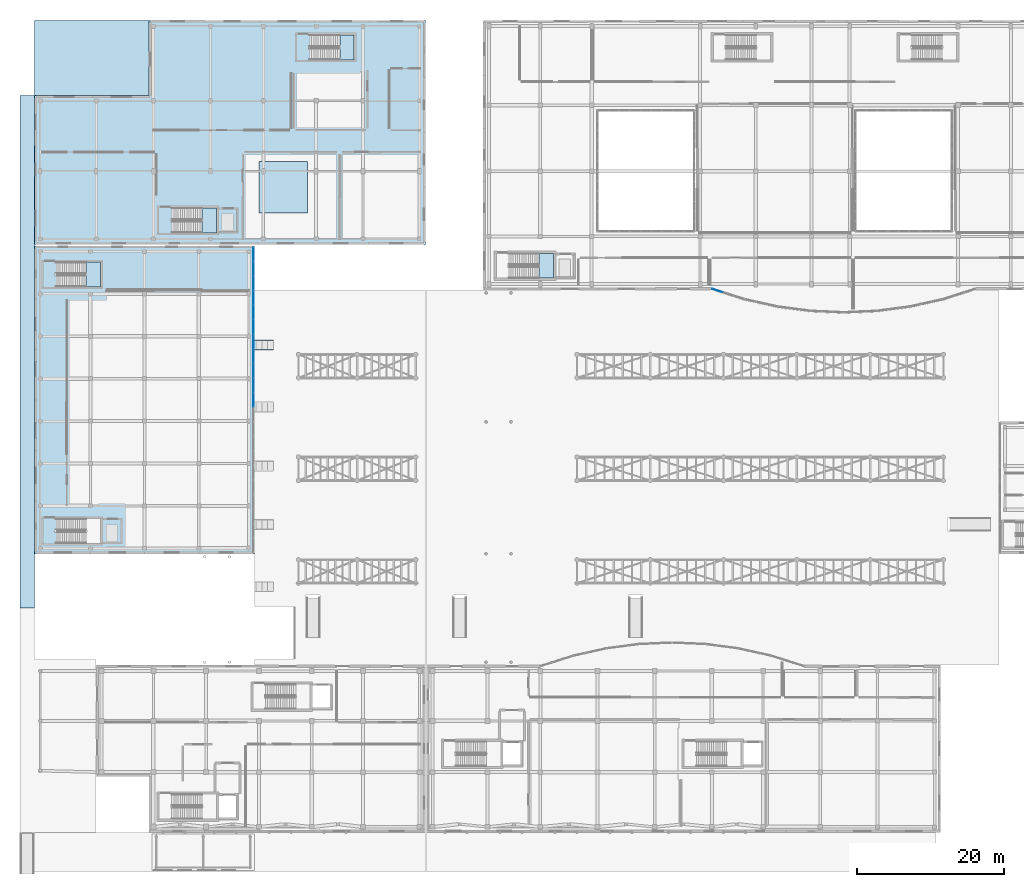
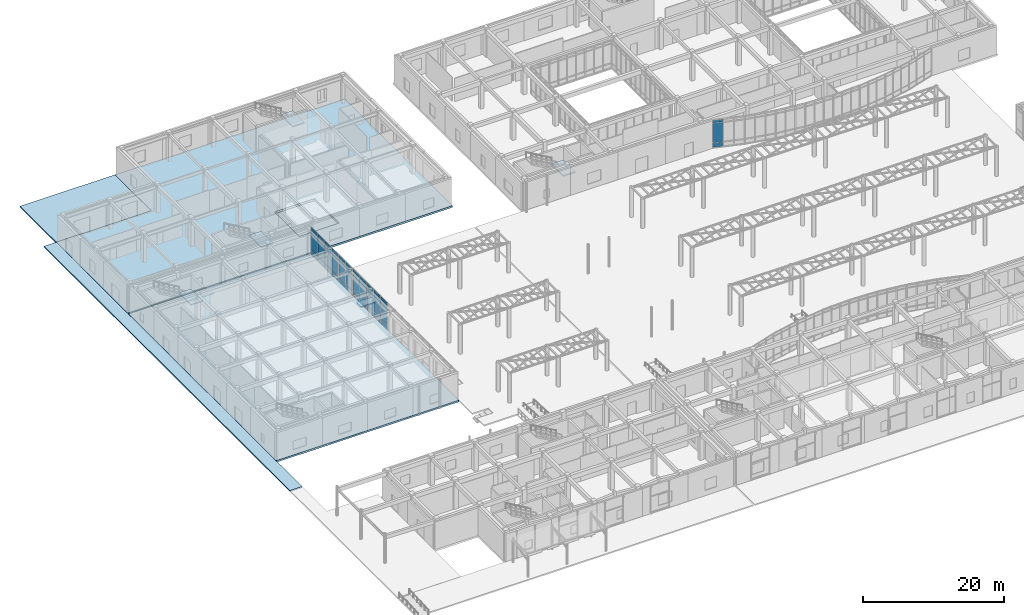
# One storey, part 82 of 121: 36 plates, 10 slabs, 9 elements without a shape of their own.
"""IFC4 building model written with IfcOpenShell, lengths in metres."""

from ifc_helpers import new_model, si_unit, direction, frame, origin, origin_2d, place, context, subcontext, project, spatial, polyline, rectangle, outline, extrude, material, layer, layer_set, type_object, element, aggregate, save


model = new_model("IFC4")

# Units and contexts
model_context = context("Model", 3, precision=1e-05, world=origin(), true_north=direction((0.0, 1.0)))
body_context = subcontext(model_context, "Body", "Model", "MODEL_VIEW")
ifc_project = project(units=[si_unit("LENGTHUNIT", "METRE"), si_unit("AREAUNIT", "SQUARE_METRE"), si_unit("VOLUMEUNIT", "CUBIC_METRE"), si_unit("PLANEANGLEUNIT", "RADIAN"), si_unit("MASSUNIT", "GRAM", prefix="KILO")], contexts=[model_context])

# Site, building, storey
site_placement = place(None, origin())
site = spatial("IfcSite", under=ifc_project, at=site_placement, CompositionType="ELEMENT")
building_placement = place(site_placement, origin())
building = spatial("IfcBuilding", under=site, at=building_placement, Name="Valcora Specialist Clinic", CompositionType="ELEMENT")
storey_placement = place(building_placement, origin())
storey = spatial("IfcBuildingStorey", under=building, at=storey_placement, Name="L00", CompositionType="ELEMENT", Elevation=0.0)

# Curtain wall, plates
ifc_material_1 = material(Name="Anodized Bronze Aluminium 6063-T6", Category="aluminium")
ifc_layer_1 = layer(ifc_material_1, 0.175048828125)
ifc_layer_set_1 = layer_set([ifc_layer_1], Name="Anodized Bronze Aluminium 6063-T6")
curtain_wall_type_1 = type_object("IfcCurtainWallType", Name="TY-CW-HAL18", PredefinedType="NOTDEFINED", material=ifc_layer_set_1)
curtain_wall_1_placement = place(storey_placement, origin())
curtain_wall_1 = element("IfcCurtainWall", 1, at=curtain_wall_1_placement, inside=storey, type_object=curtain_wall_type_1, Name="Curtain wall CW-L00-002", PredefinedType="NOTDEFINED")
ifc_material_2 = material(Name="Low-E Laminated Insulating Glass", Category="glass")
ifc_layer_2 = layer(ifc_material_2, 0.028076171875)
ifc_layer_set_2 = layer_set([ifc_layer_2], Name="Low-E Laminated Insulating Glass")
plate_type_1 = type_object("IfcPlateType", Name="TY-CWP-GLZ28", PredefinedType="CURTAIN_PANEL", material=ifc_layer_set_2)
plate_1_placement = place(storey_placement, frame((29.85009765625, 72.8837890625, 0.88232421875), z_axis=(0.0, 0.0, 1.0), x_axis=(0.0, -1.0, 0.0)))
plate_1 = element("IfcPlate", 2, at=plate_1_placement, type_object=plate_type_1, Name="CW-HAL-18 panel 1.2", PredefinedType="CURTAIN_PANEL", context=body_context, shape_type="SweptSolid", body=[
    extrude(rectangle(XDim=1.88818359375, YDim=0.028076171875, at=origin_2d()), origin(), (0.0, 0.0, 1.0), 3.344970703125),
])
plate_2_placement = place(storey_placement, frame((29.85009765625, 72.8837890625, 4.29248046875), z_axis=(0.0, 0.0, 1.0), x_axis=(0.0, -1.0, 0.0)))
plate_2 = element("IfcPlate", 3, at=plate_2_placement, type_object=plate_type_1, Name="CW-HAL-18 panel 1.3", PredefinedType="CURTAIN_PANEL", context=body_context, shape_type="SweptSolid", body=[
    extrude(rectangle(XDim=1.88818359375, YDim=0.028076171875, at=origin_2d()), origin(), (0.0, 0.0, 1.0), 0.452392578125),
])
plate_3_placement = place(storey_placement, frame((29.85009765625, 70.914306640625, 0.88232421875), z_axis=(0.0, 0.0, 1.0), x_axis=(0.0, -1.0, 0.0)))
plate_3 = element("IfcPlate", 4, at=plate_3_placement, type_object=plate_type_1, Name="CW-HAL-18 panel 2.2", PredefinedType="CURTAIN_PANEL", context=body_context, shape_type="SweptSolid", body=[
    extrude(rectangle(XDim=1.920654296875, YDim=0.028076171875, at=origin_2d()), origin(), (0.0, 0.0, 1.0), 3.344970703125),
])
plate_4_placement = place(storey_placement, frame((29.85009765625, 70.914306640625, 4.29248046875), z_axis=(0.0, 0.0, 1.0), x_axis=(0.0, -1.0, 0.0)))
plate_4 = element("IfcPlate", 5, at=plate_4_placement, type_object=plate_type_1, Name="CW-HAL-18 panel 2.3", PredefinedType="CURTAIN_PANEL", context=body_context, shape_type="SweptSolid", body=[
    extrude(rectangle(XDim=1.920654296875, YDim=0.028076171875, at=origin_2d()), origin(), (0.0, 0.0, 1.0), 0.452392578125),
])
plate_5_placement = place(storey_placement, frame((29.85009765625, 68.94482421875, 0.88232421875), z_axis=(0.0, 0.0, 1.0), x_axis=(0.0, -1.0, 0.0)))
plate_5 = element("IfcPlate", 6, at=plate_5_placement, type_object=plate_type_1, Name="CW-HAL-18 panel 3.2", PredefinedType="CURTAIN_PANEL", context=body_context, shape_type="SweptSolid", body=[
    extrude(rectangle(XDim=1.88818359375, YDim=0.028076171875, at=origin_2d()), origin(), (0.0, 0.0, 1.0), 3.344970703125),
])
plate_6_placement = place(storey_placement, frame((29.85009765625, 68.94482421875, 4.29248046875), z_axis=(0.0, 0.0, 1.0), x_axis=(0.0, -1.0, 0.0)))
plate_6 = element("IfcPlate", 7, at=plate_6_placement, type_object=plate_type_1, Name="CW-HAL-18 panel 3.3", PredefinedType="CURTAIN_PANEL", context=body_context, shape_type="SweptSolid", body=[
    extrude(rectangle(XDim=1.88818359375, YDim=0.028076171875, at=origin_2d()), origin(), (0.0, 0.0, 1.0), 0.452392578125),
])

curtain_wall_2_placement = place(storey_placement, origin())
curtain_wall_2 = element("IfcCurtainWall", 8, at=curtain_wall_2_placement, inside=storey, type_object=curtain_wall_type_1, Name="Curtain wall CW-L00-004", PredefinedType="NOTDEFINED")
plate_7_placement = place(storey_placement, frame((29.85009765625, 60.969482421875, 0.88232421875), z_axis=(0.0, 0.0, 1.0), x_axis=(0.0, -1.0, 0.0)))
plate_7 = element("IfcPlate", 9, at=plate_7_placement, type_object=plate_type_1, Name="CW-HAL-18 panel 1.2", PredefinedType="CURTAIN_PANEL", context=body_context, shape_type="SweptSolid", body=[
    extrude(rectangle(XDim=1.88818359375, YDim=0.028076171875, at=origin_2d()), origin(), (0.0, 0.0, 1.0), 3.344970703125),
])
plate_8_placement = place(storey_placement, frame((29.85009765625, 60.969482421875, 4.29248046875), z_axis=(0.0, 0.0, 1.0), x_axis=(0.0, -1.0, 0.0)))
plate_8 = element("IfcPlate", 10, at=plate_8_placement, type_object=plate_type_1, Name="CW-HAL-18 panel 1.3", PredefinedType="CURTAIN_PANEL", context=body_context, shape_type="SweptSolid", body=[
    extrude(rectangle(XDim=1.88818359375, YDim=0.028076171875, at=origin_2d()), origin(), (0.0, 0.0, 1.0), 0.452392578125),
])
plate_9_placement = place(storey_placement, frame((29.85009765625, 59.0, 0.88232421875), z_axis=(0.0, 0.0, 1.0), x_axis=(0.0, -1.0, 0.0)))
plate_9 = element("IfcPlate", 11, at=plate_9_placement, type_object=plate_type_1, Name="CW-HAL-18 panel 2.2", PredefinedType="CURTAIN_PANEL", context=body_context, shape_type="SweptSolid", body=[
    extrude(rectangle(XDim=1.920654296875, YDim=0.028076171875, at=origin_2d()), origin(), (0.0, 0.0, 1.0), 3.344970703125),
])
plate_10_placement = place(storey_placement, frame((29.85009765625, 59.0, 4.29248046875), z_axis=(0.0, 0.0, 1.0), x_axis=(0.0, -1.0, 0.0)))
plate_10 = element("IfcPlate", 12, at=plate_10_placement, type_object=plate_type_1, Name="CW-HAL-18 panel 2.3", PredefinedType="CURTAIN_PANEL", context=body_context, shape_type="SweptSolid", body=[
    extrude(rectangle(XDim=1.920654296875, YDim=0.028076171875, at=origin_2d()), origin(), (0.0, 0.0, 1.0), 0.452392578125),
])

ifc_layer_3 = layer(ifc_material_1, 0.175048828125)
ifc_layer_set_3 = layer_set([ifc_layer_3], Name="Anodized Bronze Aluminium 6063-T6")
curtain_wall_type_2 = type_object("IfcCurtainWallType", Name="TY-CW-ARC51", PredefinedType="NOTDEFINED", material=ifc_layer_set_3)
curtain_wall_3_placement = place(storey_placement, origin())
curtain_wall_3 = element("IfcCurtainWall", 13, at=curtain_wall_3_placement, inside=storey, type_object=curtain_wall_type_2, Name="Curtain wall CW-L00-028", PredefinedType="NOTDEFINED")
plate_11_placement = place(storey_placement, frame((93.19140625, 73.905517578125, 0.88232421875), z_axis=(0.0, 0.0, 1.0), x_axis=(-0.952916356972, 0.303233270958, 0.0)))
plate_11 = element("IfcPlate", 14, at=plate_11_placement, type_object=plate_type_1, Name="CW-ARC-51 panel 3.2", PredefinedType="CURTAIN_PANEL", context=body_context, shape_type="SweptSolid", body=[
    extrude(rectangle(XDim=1.482177734375, YDim=0.028076171875, at=origin_2d()), origin(), (0.0, 0.0, 1.0), 3.344970703125),
])
plate_12_placement = place(storey_placement, frame((93.19140625, 73.905517578125, 4.29248046875), z_axis=(0.0, 0.0, 1.0), x_axis=(-0.952916356972, 0.303233270958, 0.0)))
plate_12 = element("IfcPlate", 15, at=plate_12_placement, type_object=plate_type_1, Name="CW-ARC-51 panel 3.3", PredefinedType="CURTAIN_PANEL", context=body_context, shape_type="SweptSolid", body=[
    extrude(rectangle(XDim=1.482177734375, YDim=0.028076171875, at=origin_2d()), origin(), (0.0, 0.0, 1.0), 0.452392578125),
])

curtain_wall_4_placement = place(storey_placement, origin())
curtain_wall_4 = element("IfcCurtainWall", 16, at=curtain_wall_4_placement, inside=storey, type_object=curtain_wall_type_1, Name="Curtain wall CW-L00-001", PredefinedType="NOTDEFINED")
ifc_layer_4 = layer(ifc_material_2, 0.033935546875)
ifc_layer_set_4 = layer_set([ifc_layer_4], Name="Low-E Laminated Insulating Glass")
plate_type_2 = type_object("IfcPlateType", Name="TY-CWP-GLZ34", PredefinedType="CURTAIN_PANEL", material=ifc_layer_set_4)
plate_13_placement = place(storey_placement, frame((29.85009765625, 78.8408203125, 0.88232421875), z_axis=(0.0, 0.0, 1.0), x_axis=(0.0, -1.0, 0.0)))
plate_13 = element("IfcPlate", 17, at=plate_13_placement, type_object=plate_type_2, Name="CW-HAL-18 panel 1.2", PredefinedType="CURTAIN_PANEL", context=body_context, shape_type="SweptSolid", body=[
    extrude(rectangle(XDim=1.88818359375, YDim=0.033935546875, at=origin_2d()), origin(), (0.0, 0.0, 1.0), 3.344970703125),
])
plate_14_placement = place(storey_placement, frame((29.85009765625, 78.8408203125, 4.29248046875), z_axis=(0.0, 0.0, 1.0), x_axis=(0.0, -1.0, 0.0)))
plate_14 = element("IfcPlate", 18, at=plate_14_placement, type_object=plate_type_2, Name="CW-HAL-18 panel 1.3", PredefinedType="CURTAIN_PANEL", context=body_context, shape_type="SweptSolid", body=[
    extrude(rectangle(XDim=1.88818359375, YDim=0.033935546875, at=origin_2d()), origin(), (0.0, 0.0, 1.0), 0.452392578125),
])
plate_15_placement = place(storey_placement, frame((29.85009765625, 76.871337890625, 0.88232421875), z_axis=(0.0, 0.0, 1.0), x_axis=(0.0, -1.0, 0.0)))
plate_15 = element("IfcPlate", 19, at=plate_15_placement, type_object=plate_type_2, Name="CW-HAL-18 panel 2.2", PredefinedType="CURTAIN_PANEL", context=body_context, shape_type="SweptSolid", body=[
    extrude(rectangle(XDim=1.920654296875, YDim=0.033935546875, at=origin_2d()), origin(), (0.0, 0.0, 1.0), 3.344970703125),
])
plate_16_placement = place(storey_placement, frame((29.85009765625, 76.871337890625, 4.29248046875), z_axis=(0.0, 0.0, 1.0), x_axis=(0.0, -1.0, 0.0)))
plate_16 = element("IfcPlate", 20, at=plate_16_placement, type_object=plate_type_2, Name="CW-HAL-18 panel 2.3", PredefinedType="CURTAIN_PANEL", context=body_context, shape_type="SweptSolid", body=[
    extrude(rectangle(XDim=1.920654296875, YDim=0.033935546875, at=origin_2d()), origin(), (0.0, 0.0, 1.0), 0.452392578125),
])
plate_17_placement = place(storey_placement, frame((29.85009765625, 74.902099609375, 0.88232421875), z_axis=(0.0, 0.0, 1.0), x_axis=(0.0, -1.0, 0.0)))
plate_17 = element("IfcPlate", 21, at=plate_17_placement, type_object=plate_type_2, Name="CW-HAL-18 panel 3.2", PredefinedType="CURTAIN_PANEL", context=body_context, shape_type="SweptSolid", body=[
    extrude(rectangle(XDim=1.88818359375, YDim=0.033935546875, at=origin_2d()), origin(), (0.0, 0.0, 1.0), 3.344970703125),
])
plate_18_placement = place(storey_placement, frame((29.85009765625, 74.902099609375, 4.29248046875), z_axis=(0.0, 0.0, 1.0), x_axis=(0.0, -1.0, 0.0)))
plate_18 = element("IfcPlate", 22, at=plate_18_placement, type_object=plate_type_2, Name="CW-HAL-18 panel 3.3", PredefinedType="CURTAIN_PANEL", context=body_context, shape_type="SweptSolid", body=[
    extrude(rectangle(XDim=1.88818359375, YDim=0.033935546875, at=origin_2d()), origin(), (0.0, 0.0, 1.0), 0.452392578125),
])

curtain_wall_5_placement = place(storey_placement, origin())
curtain_wall_5 = element("IfcCurtainWall", 23, at=curtain_wall_5_placement, inside=storey, type_object=curtain_wall_type_1, Name="Curtain wall CW-L00-003", PredefinedType="NOTDEFINED")
plate_19_placement = place(storey_placement, frame((29.85009765625, 66.926513671875, 0.88232421875), z_axis=(0.0, 0.0, 1.0), x_axis=(0.0, -1.0, 0.0)))
plate_19 = element("IfcPlate", 24, at=plate_19_placement, type_object=plate_type_2, Name="CW-HAL-18 panel 1.2", PredefinedType="CURTAIN_PANEL", context=body_context, shape_type="SweptSolid", body=[
    extrude(rectangle(XDim=1.88818359375, YDim=0.033935546875, at=origin_2d()), origin(), (0.0, 0.0, 1.0), 3.344970703125),
])
plate_20_placement = place(storey_placement, frame((29.85009765625, 66.926513671875, 4.29248046875), z_axis=(0.0, 0.0, 1.0), x_axis=(0.0, -1.0, 0.0)))
plate_20 = element("IfcPlate", 25, at=plate_20_placement, type_object=plate_type_2, Name="CW-HAL-18 panel 1.3", PredefinedType="CURTAIN_PANEL", context=body_context, shape_type="SweptSolid", body=[
    extrude(rectangle(XDim=1.88818359375, YDim=0.033935546875, at=origin_2d()), origin(), (0.0, 0.0, 1.0), 0.452392578125),
])
plate_21_placement = place(storey_placement, frame((29.85009765625, 64.95703125, 0.88232421875), z_axis=(0.0, 0.0, 1.0), x_axis=(0.0, -1.0, 0.0)))
plate_21 = element("IfcPlate", 26, at=plate_21_placement, type_object=plate_type_2, Name="CW-HAL-18 panel 2.2", PredefinedType="CURTAIN_PANEL", context=body_context, shape_type="SweptSolid", body=[
    extrude(rectangle(XDim=1.920654296875, YDim=0.033935546875, at=origin_2d()), origin(), (0.0, 0.0, 1.0), 3.344970703125),
])
plate_22_placement = place(storey_placement, frame((29.85009765625, 64.95703125, 4.29248046875), z_axis=(0.0, 0.0, 1.0), x_axis=(0.0, -1.0, 0.0)))
plate_22 = element("IfcPlate", 27, at=plate_22_placement, type_object=plate_type_2, Name="CW-HAL-18 panel 2.3", PredefinedType="CURTAIN_PANEL", context=body_context, shape_type="SweptSolid", body=[
    extrude(rectangle(XDim=1.920654296875, YDim=0.033935546875, at=origin_2d()), origin(), (0.0, 0.0, 1.0), 0.452392578125),
])
plate_23_placement = place(storey_placement, frame((29.85009765625, 62.98779296875, 0.88232421875), z_axis=(0.0, 0.0, 1.0), x_axis=(0.0, -1.0, 0.0)))
plate_23 = element("IfcPlate", 28, at=plate_23_placement, type_object=plate_type_2, Name="CW-HAL-18 panel 3.2", PredefinedType="CURTAIN_PANEL", context=body_context, shape_type="SweptSolid", body=[
    extrude(rectangle(XDim=1.88818359375, YDim=0.033935546875, at=origin_2d()), origin(), (0.0, 0.0, 1.0), 3.344970703125),
])
plate_24_placement = place(storey_placement, frame((29.85009765625, 62.98779296875, 4.29248046875), z_axis=(0.0, 0.0, 1.0), x_axis=(0.0, -1.0, 0.0)))
plate_24 = element("IfcPlate", 29, at=plate_24_placement, type_object=plate_type_2, Name="CW-HAL-18 panel 3.3", PredefinedType="CURTAIN_PANEL", context=body_context, shape_type="SweptSolid", body=[
    extrude(rectangle(XDim=1.88818359375, YDim=0.033935546875, at=origin_2d()), origin(), (0.0, 0.0, 1.0), 0.452392578125),
])

# Plate
ifc_material_3 = material(Name="Insulated Spandrel Panel")
ifc_layer_5 = layer(ifc_material_3, 0.044921875)
ifc_layer_set_5 = layer_set([ifc_layer_5], Name="Insulated Spandrel Panel")
plate_type_3 = type_object("IfcPlateType", Name="TY-CWP-SPN45", PredefinedType="SHEET", material=ifc_layer_set_5)
plate_25_placement = place(storey_placement, frame((29.85009765625, 78.8408203125, 0.06494140625), z_axis=(0.0, 0.0, 1.0), x_axis=(0.0, -1.0, 0.0)))
plate_25 = element("IfcPlate", 30, at=plate_25_placement, type_object=plate_type_3, Name="CW-HAL-18 panel 1.1", PredefinedType="SHEET", context=body_context, shape_type="SweptSolid", body=[
    extrude(rectangle(XDim=1.88818359375, YDim=0.044921875, at=origin_2d()), origin(), (0.0, 0.0, 1.0), 0.75244140625),
])

plate_26_placement = place(storey_placement, frame((29.85009765625, 76.871337890625, 0.06494140625), z_axis=(0.0, 0.0, 1.0), x_axis=(0.0, -1.0, 0.0)))
plate_26 = element("IfcPlate", 31, at=plate_26_placement, type_object=plate_type_3, Name="CW-HAL-18 panel 2.1", PredefinedType="SHEET", context=body_context, shape_type="SweptSolid", body=[
    extrude(rectangle(XDim=1.920654296875, YDim=0.044921875, at=origin_2d()), origin(), (0.0, 0.0, 1.0), 0.75244140625),
])

plate_27_placement = place(storey_placement, frame((29.85009765625, 74.902099609375, 0.06494140625), z_axis=(0.0, 0.0, 1.0), x_axis=(0.0, -1.0, 0.0)))
plate_27 = element("IfcPlate", 32, at=plate_27_placement, type_object=plate_type_3, Name="CW-HAL-18 panel 3.1", PredefinedType="SHEET", context=body_context, shape_type="SweptSolid", body=[
    extrude(rectangle(XDim=1.88818359375, YDim=0.044921875, at=origin_2d()), origin(), (0.0, 0.0, 1.0), 0.75244140625),
])

aggregate(curtain_wall_4, [plate_25, plate_13, plate_14, plate_26, plate_15, plate_16, plate_27, plate_17, plate_18])

plate_28_placement = place(storey_placement, frame((29.85009765625, 72.8837890625, 0.06494140625), z_axis=(0.0, 0.0, 1.0), x_axis=(0.0, -1.0, 0.0)))
plate_28 = element("IfcPlate", 33, at=plate_28_placement, type_object=plate_type_3, Name="CW-HAL-18 panel 1.1", PredefinedType="SHEET", context=body_context, shape_type="SweptSolid", body=[
    extrude(rectangle(XDim=1.88818359375, YDim=0.044921875, at=origin_2d()), origin(), (0.0, 0.0, 1.0), 0.75244140625),
])

plate_29_placement = place(storey_placement, frame((29.85009765625, 70.914306640625, 0.06494140625), z_axis=(0.0, 0.0, 1.0), x_axis=(0.0, -1.0, 0.0)))
plate_29 = element("IfcPlate", 34, at=plate_29_placement, type_object=plate_type_3, Name="CW-HAL-18 panel 2.1", PredefinedType="SHEET", context=body_context, shape_type="SweptSolid", body=[
    extrude(rectangle(XDim=1.920654296875, YDim=0.044921875, at=origin_2d()), origin(), (0.0, 0.0, 1.0), 0.75244140625),
])

plate_30_placement = place(storey_placement, frame((29.85009765625, 68.94482421875, 0.06494140625), z_axis=(0.0, 0.0, 1.0), x_axis=(0.0, -1.0, 0.0)))
plate_30 = element("IfcPlate", 35, at=plate_30_placement, type_object=plate_type_3, Name="CW-HAL-18 panel 3.1", PredefinedType="SHEET", context=body_context, shape_type="SweptSolid", body=[
    extrude(rectangle(XDim=1.88818359375, YDim=0.044921875, at=origin_2d()), origin(), (0.0, 0.0, 1.0), 0.75244140625),
])

aggregate(curtain_wall_1, [plate_28, plate_1, plate_2, plate_29, plate_3, plate_4, plate_30, plate_5, plate_6])

plate_31_placement = place(storey_placement, frame((29.85009765625, 66.926513671875, 0.06494140625), z_axis=(0.0, 0.0, 1.0), x_axis=(0.0, -1.0, 0.0)))
plate_31 = element("IfcPlate", 36, at=plate_31_placement, type_object=plate_type_3, Name="CW-HAL-18 panel 1.1", PredefinedType="SHEET", context=body_context, shape_type="SweptSolid", body=[
    extrude(rectangle(XDim=1.88818359375, YDim=0.044921875, at=origin_2d()), origin(), (0.0, 0.0, 1.0), 0.75244140625),
])

plate_32_placement = place(storey_placement, frame((29.85009765625, 64.95703125, 0.06494140625), z_axis=(0.0, 0.0, 1.0), x_axis=(0.0, -1.0, 0.0)))
plate_32 = element("IfcPlate", 37, at=plate_32_placement, type_object=plate_type_3, Name="CW-HAL-18 panel 2.1", PredefinedType="SHEET", context=body_context, shape_type="SweptSolid", body=[
    extrude(rectangle(XDim=1.920654296875, YDim=0.044921875, at=origin_2d()), origin(), (0.0, 0.0, 1.0), 0.75244140625),
])

plate_33_placement = place(storey_placement, frame((29.85009765625, 62.98779296875, 0.06494140625), z_axis=(0.0, 0.0, 1.0), x_axis=(0.0, -1.0, 0.0)))
plate_33 = element("IfcPlate", 38, at=plate_33_placement, type_object=plate_type_3, Name="CW-HAL-18 panel 3.1", PredefinedType="SHEET", context=body_context, shape_type="SweptSolid", body=[
    extrude(rectangle(XDim=1.88818359375, YDim=0.044921875, at=origin_2d()), origin(), (0.0, 0.0, 1.0), 0.75244140625),
])

aggregate(curtain_wall_5, [plate_31, plate_19, plate_20, plate_32, plate_21, plate_22, plate_33, plate_23, plate_24])

plate_34_placement = place(storey_placement, frame((29.85009765625, 60.969482421875, 0.06494140625), z_axis=(0.0, 0.0, 1.0), x_axis=(0.0, -1.0, 0.0)))
plate_34 = element("IfcPlate", 39, at=plate_34_placement, type_object=plate_type_3, Name="CW-HAL-18 panel 1.1", PredefinedType="SHEET", context=body_context, shape_type="SweptSolid", body=[
    extrude(rectangle(XDim=1.88818359375, YDim=0.044921875, at=origin_2d()), origin(), (0.0, 0.0, 1.0), 0.75244140625),
])

plate_35_placement = place(storey_placement, frame((29.85009765625, 59.0, 0.06494140625), z_axis=(0.0, 0.0, 1.0), x_axis=(0.0, -1.0, 0.0)))
plate_35 = element("IfcPlate", 40, at=plate_35_placement, type_object=plate_type_3, Name="CW-HAL-18 panel 2.1", PredefinedType="SHEET", context=body_context, shape_type="SweptSolid", body=[
    extrude(rectangle(XDim=1.920654296875, YDim=0.044921875, at=origin_2d()), origin(), (0.0, 0.0, 1.0), 0.75244140625),
])

aggregate(curtain_wall_2, [plate_34, plate_7, plate_8, plate_35, plate_9, plate_10])

plate_36_placement = place(storey_placement, frame((93.19140625, 73.905517578125, 0.06494140625), z_axis=(0.0, 0.0, 1.0), x_axis=(-0.952916356972, 0.303233270958, 0.0)))
plate_36 = element("IfcPlate", 41, at=plate_36_placement, type_object=plate_type_3, Name="CW-ARC-51 panel 3.1", PredefinedType="SHEET", context=body_context, shape_type="SweptSolid", body=[
    extrude(rectangle(XDim=1.482177734375, YDim=0.044921875, at=origin_2d()), origin(), (0.0, 0.0, 1.0), 0.75244140625),
])

aggregate(curtain_wall_3, [plate_36, plate_11, plate_12])

# Slabs
ifc_material_4 = material(Name="Concrete C35/45", Category="concrete")
ifc_layer_6 = layer(ifc_material_4, 0.219970703125)
ifc_layer_set_6 = layer_set([ifc_layer_6], Name="Concrete C35/45")
slab_type_1 = type_object("IfcSlabType", Name="TY-SL-APRN220", PredefinedType="BASESLAB", material=ifc_layer_set_6)
slab_1_placement = place(storey_placement, frame((0.0, 0.0, -0.219970703125)))
element("IfcSlab", 42, at=slab_1_placement, inside=storey, type_object=slab_type_1, Name="West street perimeter sidewalk apron SL-L00-029", PredefinedType="BASESLAB", context=body_context, shape_type="SweptSolid", body=[
    extrude(outline(polyline([(0.0, 30.8330078125), (-0.0029296875, 30.8330078125), (-0.0029296875, 30.60302734375), (-2.0, 30.60302734375), (-2.0, 100.5), (-0.0029296875, 100.5), (-0.0029296875, 80.197021484375), (0.0, 80.197021484375), (0.0, 80.0029296875), (-0.0029296875, 80.0029296875), (-0.0029296875, 37.9970703125), (0.0, 37.9970703125), (0.0, 30.8330078125)])), origin(), (0.0, 0.0, 1.0), 0.219970703125),
])
slab_2_placement = place(storey_placement, frame((0.0, 0.0, -0.219970703125)))
element("IfcSlab", 43, at=slab_2_placement, inside=storey, type_object=slab_type_1, Name="V2 truck dock and ambulance apron SL-L00-030", PredefinedType="BASESLAB", context=body_context, shape_type="SweptSolid", body=[
    extrude(outline(polyline([(0.0, 110.800048828125), (15.596923828125, 110.800048828125), (15.596923828125, 100.5029296875), (0.0, 100.5029296875), (0.0, 110.800048828125)])), origin(), (0.0, 0.0, 1.0), 0.219970703125),
])
slab_3_placement = place(storey_placement, frame((0.0, 0.0, -0.89990234375)))
element("IfcSlab", 44, at=slab_3_placement, inside=storey, type_object=slab_type_1, Name="Sunken garden terrace pad 5", PredefinedType="BASESLAB", context=body_context, shape_type="SweptSolid", body=[
    extrude(outline(polyline([(30.02001953125, 65.840087890625), (32.580078125, 65.840087890625), (32.580078125, 67.159912109375), (30.02001953125, 67.159912109375), (30.02001953125, 65.840087890625)])), origin(), (0.0, 0.0, 1.0), 0.219970703125),
])
ifc_material_5 = material(Name="Concrete C40/50", Category="concrete")
ifc_layer_7 = layer(ifc_material_5, 0.300048828125)
ifc_layer_set_7 = layer_set([ifc_layer_7], Name="Concrete C40/50")
slab_type_2 = type_object("IfcSlabType", Name="TY-SL-FLR300", PredefinedType="FLOOR", material=ifc_layer_set_7)
slab_4_placement = place(storey_placement, frame((0.0, 0.0, -0.300048828125)))
element("IfcSlab", 45, at=slab_4_placement, inside=storey, type_object=slab_type_2, Name="V1 L00 structural slab SL-L00-001", PredefinedType="FLOOR", context=body_context, shape_type="SweptSolid", body=[
    extrude(outline(polyline([(0.0, 38.0), (30.0, 38.0), (30.0, 80.0), (0.0, 80.0), (0.0, 38.0)])), origin(), (0.0, 0.0, 1.0), 0.300048828125),
])
ifc_layer_8 = layer(ifc_material_5, 0.330078125)
ifc_layer_set_8 = layer_set([ifc_layer_8], Name="Concrete C40/50")
slab_type_3 = type_object("IfcSlabType", Name="TY-SL-FLR330", PredefinedType="FLOOR", material=ifc_layer_set_8)
slab_5_placement = place(storey_placement, frame((0.0, 0.0, -0.330078125)))
element("IfcSlab", 46, at=slab_5_placement, inside=storey, type_object=slab_type_3, Name="V2 L00 structural slab SL-L00-004", PredefinedType="FLOOR", context=body_context, shape_type="SweptSolid", body=[
    extrude(outline(polyline([(0.0, 80.199951171875), (53.300048828125, 80.199951171875), (53.300048828125, 110.800048828125), (15.60009765625, 110.800048828125), (15.60009765625, 100.5), (0.0, 100.5), (0.0, 80.199951171875)]), holes=[polyline([(30.60009765625, 84.5), (37.199951171875, 84.5), (37.199951171875, 91.5), (30.60009765625, 91.5), (30.60009765625, 84.5)])]), origin(), (0.0, 0.0, 1.0), 0.330078125),
])

# Stair, slab
stair_type = type_object("IfcStairType", Name="TY-ST-DG510", PredefinedType="HALF_TURN_STAIR", material=ifc_material_5)
stair_1_placement = place(storey_placement, origin())
stair_1 = element("IfcStair", 47, at=stair_1_placement, inside=storey, type_object=stair_type, Name="L00 Core C-V1B stair ST-V1B", PredefinedType="HALF_TURN_STAIR")
ifc_layer_9 = layer(ifc_material_5, 0.199951171875)
ifc_layer_set_9 = layer_set([ifc_layer_9], Name="Concrete C40/50")
slab_type_4 = type_object("IfcSlabType", Name="TY-SL-LND200", PredefinedType="LANDING", material=ifc_layer_set_9)
slab_6_placement = place(storey_placement, frame((0.0, 0.0, 2.35009765625)))
slab_6 = element("IfcSlab", 48, at=slab_6_placement, type_object=slab_type_4, Name="ST-V1B landing 1", PredefinedType="LANDING", context=body_context, shape_type="SweptSolid", body=[
    extrude(outline(polyline([(7.030029296875, 74.39990234375), (9.0, 74.39990234375), (9.0, 77.800048828125), (7.030029296875, 77.800048828125), (7.030029296875, 74.39990234375)])), origin(), (0.0, 0.0, 1.0), 0.199951171875),
])
aggregate(stair_1, [slab_6])

stair_2_placement = place(storey_placement, origin())
stair_2 = element("IfcStair", 49, at=stair_2_placement, inside=storey, type_object=stair_type, Name="L00 Core C-V2A stair ST-V2A", PredefinedType="HALF_TURN_STAIR")
slab_7_placement = place(storey_placement, frame((0.0, 0.0, 2.35009765625)))
slab_7 = element("IfcSlab", 50, at=slab_7_placement, type_object=slab_type_4, Name="ST-V2A landing 1", PredefinedType="LANDING", context=body_context, shape_type="SweptSolid", body=[
    extrude(outline(polyline([(22.830078125, 81.800048828125), (24.800048828125, 81.800048828125), (24.800048828125, 85.199951171875), (22.830078125, 85.199951171875), (22.830078125, 81.800048828125)])), origin(), (0.0, 0.0, 1.0), 0.199951171875),
])
aggregate(stair_2, [slab_7])

stair_3_placement = place(storey_placement, origin())
stair_3 = element("IfcStair", 51, at=stair_3_placement, inside=storey, type_object=stair_type, Name="L00 Core C-V2B stair ST-V2B", PredefinedType="HALF_TURN_STAIR")
slab_8_placement = place(storey_placement, frame((0.0, 0.0, 2.35009765625)))
slab_8 = element("IfcSlab", 52, at=slab_8_placement, type_object=slab_type_4, Name="ST-V2B landing 1", PredefinedType="LANDING", context=body_context, shape_type="SweptSolid", body=[
    extrude(outline(polyline([(41.6298828125, 105.39990234375), (43.60009765625, 105.39990234375), (43.60009765625, 108.800048828125), (41.6298828125, 108.800048828125), (41.6298828125, 105.39990234375)])), origin(), (0.0, 0.0, 1.0), 0.199951171875),
])
aggregate(stair_3, [slab_8])

stair_4_placement = place(storey_placement, origin())
stair_4 = element("IfcStair", 53, at=stair_4_placement, inside=storey, type_object=stair_type, Name="L00 Core C-V4A stair ST-V4A", PredefinedType="HALF_TURN_STAIR")
slab_9_placement = place(storey_placement, frame((0.0, 0.0, 2.35009765625)))
slab_9 = element("IfcSlab", 54, at=slab_9_placement, type_object=slab_type_4, Name="ST-V4A landing 1", PredefinedType="LANDING", context=body_context, shape_type="SweptSolid", body=[
    extrude(outline(polyline([(68.830078125, 75.60009765625), (70.800048828125, 75.60009765625), (70.800048828125, 79.0), (68.830078125, 79.0), (68.830078125, 75.60009765625)])), origin(), (0.0, 0.0, 1.0), 0.199951171875),
])
aggregate(stair_4, [slab_9])

# Slab
ifc_layer_10 = layer(ifc_material_5, 0.52001953125)
ifc_layer_set_10 = layer_set([ifc_layer_10], Name="Concrete C40/50")
slab_type_5 = type_object("IfcSlabType", Name="TY-SL-MRI520", PredefinedType="FLOOR", material=ifc_layer_set_10)
slab_10_placement = place(storey_placement, frame((0.0, 0.0, -0.8701171875)))
element("IfcSlab", 55, at=slab_10_placement, inside=storey, type_object=slab_type_5, Name="V2 MRI RF recessed pit slab SL-L00-003", PredefinedType="FLOOR", context=body_context, shape_type="SweptSolid", body=[
    extrude(outline(polyline([(30.60009765625, 84.5), (37.199951171875, 84.5), (37.199951171875, 91.5), (30.60009765625, 91.5), (30.60009765625, 84.5)])), origin(), (0.0, 0.0, 1.0), 0.52001953125),
])

save(model, "model.ifc")
